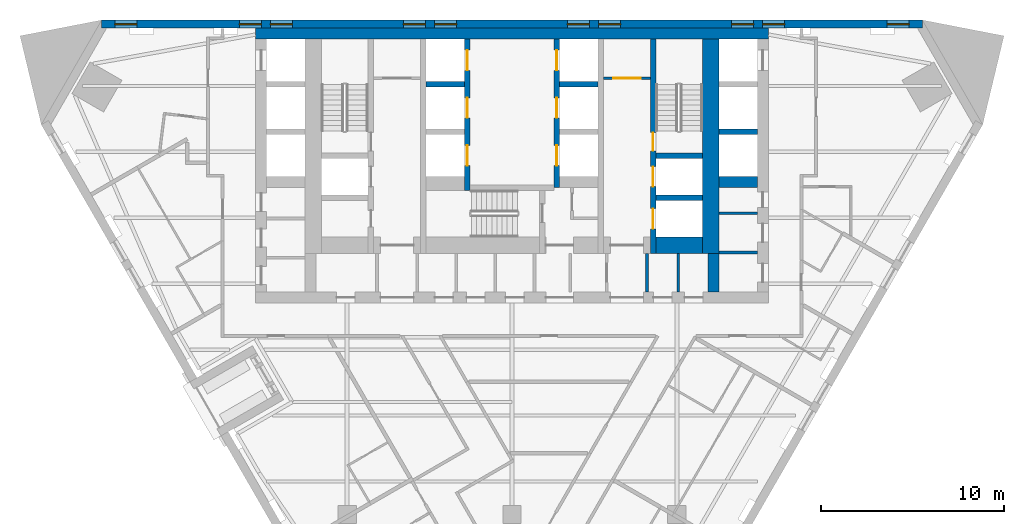
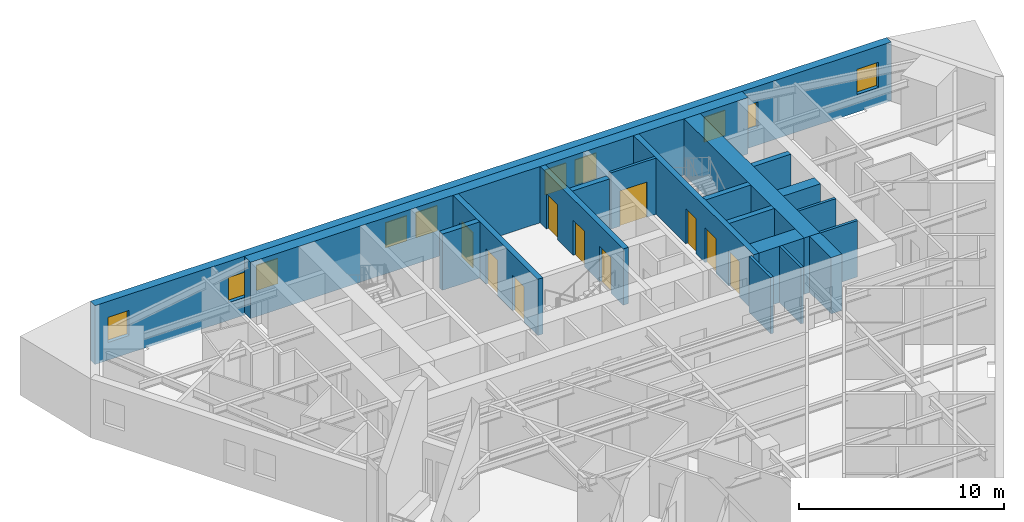
# One storey, part 7 of 9: 19 walls, 10 doors, 10 windows, 20 openings.
"""IFC4 building model written with IfcOpenShell, lengths in metres."""

import ifcopenshell
import ifcopenshell.guid

model = None  # the IFC model being written
_history = None  # IfcOwnerHistory: only IFC2X3 demands one
_inside = {}  # id of a spatial element -> (the spatial element, [elements in it])
_under = {}  # id of a project, library or spatial element -> (it, [spatial elements below it])
_declared = {}  # id of a project -> (the project, [libraries it declares])
_typed = {}  # id of a type object -> (the type object, [elements of that type])
_made_of = {}  # id of a material, layer set ... -> (it, [elements and type objects made of it])


def new_model(schema):
    """Start an empty IFC model of exactly this schema.

    Asked for "IFC4X3", IfcOpenShell would pick the latest addendum, in which some entities
    have other attributes; the version numbers below select the first issue.
    IFC2X3 requires an IfcOwnerHistory on every rooted entity: one is made here for all.
    """
    global model, _history
    if schema == "IFC4X3":
        model = ifcopenshell.file(schema_version=(4, 3, 0, 0))
    else:
        model = ifcopenshell.file(schema=schema)
    _inside.clear()
    _under.clear()
    _declared.clear()
    _typed.clear()
    _made_of.clear()
    _history = None
    if model.schema == "IFC2X3":
        org = make("IfcOrganization", Name="unknown")
        user = make(
            "IfcPersonAndOrganization",
            ThePerson=make("IfcPerson", FamilyName="unknown"),
            TheOrganization=org,
        )
        app = make(
            "IfcApplication",
            ApplicationDeveloper=org,
            Version="unknown",
            ApplicationFullName="unknown",
            ApplicationIdentifier="unknown",
        )
        _history = make(
            "IfcOwnerHistory",
            OwningUser=user,
            OwningApplication=app,
            ChangeAction="ADDED",
            CreationDate=0,
        )
    return model


def make(cls, **values):
    """One entity of the class cls with the attributes given. An attribute that is None is left unset."""
    return model.create_entity(
        cls, **{name: value for name, value in values.items() if value is not None}
    )


def rooted(cls, **values):
    """An entity with a GlobalId (a new one), such as an element, a storey or a relation."""
    return make(cls, GlobalId=ifcopenshell.guid.new(), OwnerHistory=_history, **values)


def si_unit(unit_type, name, prefix=None):
    """IfcSIUnit, for example si_unit("LENGTHUNIT", "METRE", prefix="MILLI")."""
    return make("IfcSIUnit", UnitType=unit_type, Prefix=prefix, Name=name)


def assignment(units):
    """IfcUnitAssignment: the units of a project."""
    return None if units is None else make("IfcUnitAssignment", Units=units)


def point(xyz):
    """IfcCartesianPoint."""
    return None if xyz is None else make("IfcCartesianPoint", Coordinates=xyz)


def direction(xyz):
    """IfcDirection."""
    return None if xyz is None else make("IfcDirection", DirectionRatios=xyz)


def frame(location, z_axis=None, x_axis=None):
    """IfcAxis2Placement3D, a coordinate frame: its origin and axes. An axis left out is left unset."""
    return make(
        "IfcAxis2Placement3D",
        Location=point(location),
        Axis=direction(z_axis),
        RefDirection=direction(x_axis),
    )


def frame_2d(location, x_axis=None):
    """IfcAxis2Placement2D, a coordinate frame in the plane: its origin and x axis."""
    return make(
        "IfcAxis2Placement2D", Location=point(location), RefDirection=direction(x_axis)
    )


def origin():
    """The frame at (0, 0, 0) with its axes left unset."""
    return frame((0.0, 0.0, 0.0))


def place(relative_to, where):
    """IfcLocalPlacement: puts the frame where relative to a parent placement (None: the world)."""
    return make(
        "IfcLocalPlacement", PlacementRelTo=relative_to, RelativePlacement=where
    )


def context(
    kind, dimensions, precision=None, world=None, true_north=None, identifier=None
):
    """IfcGeometricRepresentationContext, for example the 3D "Model" context."""
    return make(
        "IfcGeometricRepresentationContext",
        ContextIdentifier=identifier,
        ContextType=kind,
        CoordinateSpaceDimension=dimensions,
        Precision=precision,
        WorldCoordinateSystem=world,
        TrueNorth=true_north,
    )


def subcontext(parent, identifier, kind, view, scale=None):
    """IfcGeometricRepresentationSubContext, for example "Body" below "Model"."""
    return make(
        "IfcGeometricRepresentationSubContext",
        ContextIdentifier=identifier,
        ContextType=kind,
        ParentContext=parent,
        TargetScale=scale,
        TargetView=view,
    )


def project(units=None, contexts=None):
    """IfcProject with its units and contexts."""
    return rooted(
        "IfcProject",
        Name="project",
        RepresentationContexts=contexts,
        UnitsInContext=assignment(units),
    )


def spatial(cls, under=None, at=None, **own):
    """A site, building, storey or space (cls), placed at a placement, below another one or the project."""
    s = rooted(cls, ObjectPlacement=at, **own)
    if under is not None:
        _under.setdefault(under.id(), (under, []))[1].append(s)
    return s


def polyline(points):
    """IfcPolyline through the points."""
    return make("IfcPolyline", Points=[point(p) for p in points])


def profile(cls, at=None, kind="AREA", **sizes):
    """A parametric profile (cls). Its sizes go by their IFC names, for example OverallWidth=200.0."""
    return make(cls, ProfileType=kind, Position=at, **sizes)


def rectangle(**sizes):
    """IfcRectangleProfileDef."""
    return profile("IfcRectangleProfileDef", **sizes)


def outline(outer, holes=None, kind="AREA"):
    """IfcArbitraryClosedProfileDef: a profile drawn as a closed curve; with holes, ...WithVoids."""
    if holes is None:
        return make("IfcArbitraryClosedProfileDef", ProfileType=kind, OuterCurve=outer)
    return make(
        "IfcArbitraryProfileDefWithVoids",
        ProfileType=kind,
        OuterCurve=outer,
        InnerCurves=holes,
    )


def extrude(swept, where, along, depth):
    """IfcExtrudedAreaSolid: the profile swept, set in the frame where, extruded along a direction by depth."""
    return make(
        "IfcExtrudedAreaSolid",
        SweptArea=swept,
        Position=where,
        ExtrudedDirection=direction(along),
        Depth=depth,
    )


def shape(context_of_items, identifier, shape_type, items):
    """IfcShapeRepresentation: the items that make up one representation, for example the "Body"."""
    return make(
        "IfcShapeRepresentation",
        ContextOfItems=context_of_items,
        RepresentationIdentifier=identifier,
        RepresentationType=shape_type,
        Items=items,
    )


def material(Name=None, Category=None):
    """IfcMaterial."""
    return make("IfcMaterial", Name=Name, Category=Category)


def layer(
    of_material, thickness, ventilated=None, Name=None, Category=None, Priority=None
):
    """IfcMaterialLayer: one layer of a wall or slab, of a material (None: an air gap)."""
    return make(
        "IfcMaterialLayer",
        Material=of_material,
        LayerThickness=thickness,
        IsVentilated=ventilated,
        Name=Name,
        Category=Category,
        Priority=Priority,
    )


def layer_set(layers, Name=None):
    """IfcMaterialLayerSet."""
    return make("IfcMaterialLayerSet", MaterialLayers=layers, LayerSetName=Name)


def made_of(thing, what):
    """Note that an element or type object is made of a material, layer set ...; save() writes the relation."""
    if what is not None:
        _made_of.setdefault(what.id(), (what, []))[1].append(thing)
    return thing


def type_object(cls, material=None, **own):
    """A type object (cls), such as IfcWallType, which elements share."""
    return made_of(rooted(cls, **own), material)


def element(
    cls,
    number,
    at=None,
    inside=None,
    cuts=None,
    type_object=None,
    material=None,
    context=None,
    identifier="Body",
    shape_type=None,
    held_by="IfcProductDefinitionShape",
    body=None,
    shapes=None,
    **own,
):
    """One element of the class cls, such as IfcWall. Its Tag is "e" and its number.

    at: its placement. inside: the storey or other place that contains it. cuts: it is an
    opening in that element (IfcRelVoidsElement). A single representation is given by context,
    identifier, shape_type and body (its items); several are given by shapes. held_by: the class
    of the entity that holds the representations. save() writes the other relations.
    """
    e = rooted(cls, Tag="e%d" % number, ObjectPlacement=at, **own)
    if body is not None:
        shapes = [shape(context, identifier, shape_type, body)]
    if shapes is not None:
        e.Representation = make(held_by, Representations=shapes)
    if inside is not None:
        _inside.setdefault(inside.id(), (inside, []))[1].append(e)
    if cuts is not None:
        rooted(
            "IfcRelVoidsElement", RelatingBuildingElement=cuts, RelatedOpeningElement=e
        )
    if type_object is not None:
        _typed.setdefault(type_object.id(), (type_object, []))[1].append(e)
    return made_of(e, material)


def fill(opening, filler):
    """IfcRelFillsElement: the door or window that sits in an opening."""
    return rooted(
        "IfcRelFillsElement",
        RelatingOpeningElement=opening,
        RelatedBuildingElement=filler,
    )


def aggregate(whole, parts):
    """IfcRelAggregates: a whole, such as a stair, and the parts it consists of."""
    return rooted("IfcRelAggregates", RelatingObject=whole, RelatedObjects=parts)


def save(model, path):
    """Write the relations noted so far, then the file.

    IfcRelAggregates (storeys below a building ...), IfcRelContainedInSpatialStructure (elements
    in a storey), IfcRelDefinesByType, IfcRelAssociatesMaterial and IfcRelDeclares: one each for
    every whole, place, type object, material and project.
    """
    for whole, parts in _under.values():
        aggregate(whole, parts)
    for where, things in _inside.values():
        rooted(
            "IfcRelContainedInSpatialStructure",
            RelatedElements=things,
            RelatingStructure=where,
        )
    for kind, things in _typed.values():
        rooted("IfcRelDefinesByType", RelatedObjects=things, RelatingType=kind)
    for what, things in _made_of.values():
        rooted("IfcRelAssociatesMaterial", RelatedObjects=things, RelatingMaterial=what)
    for by, libraries in _declared.values():
        rooted("IfcRelDeclares", RelatingContext=by, RelatedDefinitions=libraries)
    model.write(path)


model = new_model("IFC4")

# Units and contexts
model_context = context("Model", 3, precision=1e-05, world=origin(), true_north=direction((0.0, 1.0)))
body_context = subcontext(model_context, "Body", "Model", "MODEL_VIEW")
ifc_project = project(units=[si_unit("LENGTHUNIT", "METRE"), si_unit("AREAUNIT", "SQUARE_METRE"), si_unit("VOLUMEUNIT", "CUBIC_METRE"), si_unit("PLANEANGLEUNIT", "RADIAN"), si_unit("MASSUNIT", "GRAM", prefix="KILO")], contexts=[model_context])

# Site, building, storey
site_placement = place(None, origin())
site = spatial("IfcSite", under=ifc_project, at=site_placement, CompositionType="ELEMENT")
building_placement = place(site_placement, origin())
building = spatial("IfcBuilding", under=site, at=building_placement, Name="Aloe Facet Convention Tower", CompositionType="ELEMENT")
storey_placement = place(building_placement, frame((0.0, 0.0, 52.5)))
storey = spatial("IfcBuildingStorey", under=building, at=storey_placement, Name="L11", CompositionType="ELEMENT", Elevation=52.5)

# Wall, opening, door
ifc_material_1 = material(Name="Concrete blockwork partition", Category="masonry")
ifc_layer_1 = layer(ifc_material_1, 0.14990234375)
ifc_layer_set_1 = layer_set([ifc_layer_1], Name="CR-W-PART150")
wall_type_1 = type_object("IfcWallType", Name="CR-W-PART150", PredefinedType="PARTITIONING", material=ifc_layer_set_1)
wall_1_placement = place(storey_placement, frame((85.0, 131.824951171875, 0.0), z_axis=(0.0, 0.0, 1.0), x_axis=(1.0, 0.0, 0.0)))
wall_1 = element("IfcWall", 1, at=wall_1_placement, inside=storey, type_object=wall_type_1, Name="Core partition L11-039", PredefinedType="PARTITIONING", context=body_context, shape_type="SweptSolid", body=[
    extrude(rectangle(XDim=2.550048828125, YDim=0.14990234375, at=frame_2d((1.27490234375, 0.0))), origin(), (0.0, 0.0, 1.0), 3.35009765625),
])
opening_1_placement = place(wall_1_placement, frame((0.52490234375, 0.0, 0.0)))
opening_1 = element("IfcOpeningElement", 2, at=opening_1_placement, cuts=wall_1, Name="Opening L11-CD21", PredefinedType="OPENING", context=body_context, shape_type="SweptSolid", body=[
    extrude(rectangle(XDim=1.5, YDim=2.10009765625, at=frame_2d((0.75, 1.050048828125))), frame((0.0, 0.0849609375, 0.0), z_axis=(0.0, -1.0, 0.0), x_axis=(1.0, 0.0, 0.0)), (0.0, 0.0, 1.0), 0.169921875),
])
ifc_material_2 = material(Name="Steel fire-resisting door set FD60", Category="steel")
door_type_1 = type_object("IfcDoorType", Name="CR-D-REFUGE-1500-FD60-DD", OperationType="DOUBLE_DOOR_DOUBLE_SWING", PredefinedType="DOOR", material=ifc_material_2)
door_1_placement = place(opening_1_placement, origin())
door_1 = element("IfcDoor", 3, at=door_1_placement, inside=storey, type_object=door_type_1, Name="Core door L11-CD21", OperationType="DOUBLE_DOOR_DOUBLE_SWING", OverallHeight=2.10009765625, OverallWidth=1.5, PredefinedType="DOOR", context=body_context, shape_type="SweptSolid", body=[
    extrude(rectangle(XDim=1.5, YDim=2.10009765625, at=frame_2d((0.75, 1.050048828125))), frame((0.0, 0.02490234375, 0.0), z_axis=(0.0, -1.0, 0.0), x_axis=(1.0, 0.0, 0.0)), (0.0, 0.0, 1.0), 0.050048828125),
])
fill(opening_1, door_1)

# Walls
for number, where, z_axis, x_axis, name in (
    (4, (87.375, 122.25, 0.0), (0.0, 0.0, 1.0), (0.0, -1.0, 0.0), "Core partition L11-042"),
    (5, (89.074951171875, 122.25, 0.0), (0.0, 0.0, 1.0), (0.0, -1.0, 0.0), "Core partition L11-047"),
):
    element("IfcWall", number, at=place(storey_placement, frame(where, z_axis=z_axis, x_axis=x_axis)), inside=storey, type_object=wall_type_1, Name=name, PredefinedType="PARTITIONING", context=body_context, shape_type="SweptSolid", body=[
        extrude(rectangle(XDim=2.10009765625, YDim=0.14990234375, at=frame_2d((1.050048828125, 0.0))), origin(), (0.0, 0.0, 1.0), 3.35009765625),
    ])
for number, where, z_axis, x_axis, name in (
    (6, (91.300048828125, 124.44873046875, 0.0), (0.0, 0.0, 1.0), (1.0, 0.0, 0.0), "Core partition L11-053"),
    (7, (91.300048828125, 122.309326171875, 0.0), (0.0, 0.0, 1.0), (1.0, 0.0, 0.0), "Core partition L11-054"),
):
    element("IfcWall", number, at=place(storey_placement, frame(where, z_axis=z_axis, x_axis=x_axis)), inside=storey, type_object=wall_type_1, Name=name, PredefinedType="PARTITIONING", context=body_context, shape_type="SweptSolid", body=[
        extrude(rectangle(XDim=2.099853515625, YDim=0.14990234375, at=frame_2d((1.0498046875, 0.0))), origin(), (0.0, 0.0, 1.0), 3.35009765625),
    ])
ifc_material_3 = material(Name="Concrete C80/95", Category="concrete")
ifc_layer_2 = layer(ifc_material_3, 0.300048828125)
ifc_layer_set_2 = layer_set([ifc_layer_2], Name="CR-W-RC300-C8095")
wall_type_2 = type_object("IfcWallType", Name="CR-W-RC300-C8095", PredefinedType="SOLIDWALL", material=ifc_layer_set_2)
wall_2_placement = place(storey_placement, frame((75.300048828125, 131.5, 0.0), z_axis=(0.0, 0.0, 1.0), x_axis=(1.0, 0.0, 0.0)))
element("IfcWall", 8, at=wall_2_placement, inside=storey, type_object=wall_type_2, Name="Core wall L11-020", PredefinedType="SOLIDWALL", context=body_context, shape_type="SweptSolid", body=[
    extrude(rectangle(XDim=2.099853515625, YDim=0.300048828125, at=frame_2d((1.0498046875, 0.0))), origin(), (0.0, 0.0, 1.0), 3.35009765625),
])

# Wall, openings, doors
wall_3_placement = place(storey_placement, frame((77.550048828125, 133.949951171875, 0.0), z_axis=(0.0, 0.0, 1.0), x_axis=(0.0, -1.0, 0.0)))
wall_3 = element("IfcWall", 9, at=wall_3_placement, inside=storey, type_object=wall_type_2, Name="Core wall L11-025", PredefinedType="SOLIDWALL", context=body_context, shape_type="SweptSolid", body=[
    extrude(rectangle(XDim=8.25, YDim=0.300048828125, at=frame_2d((4.125, 0.0))), origin(), (0.0, 0.0, 1.0), 3.35009765625),
])
opening_2_placement = place(wall_3_placement, frame((0.60009765625, 0.0, 0.0)))
opening_2 = element("IfcOpeningElement", 10, at=opening_2_placement, cuts=wall_3, Name="Opening LD-A1-L11", PredefinedType="OPENING", context=body_context, shape_type="SweptSolid", body=[
    extrude(rectangle(XDim=1.10009765625, YDim=2.10009765625, at=frame_2d((0.550048828125, 1.050048828125))), frame((0.0, 0.16015625, 0.0), z_axis=(0.0, -1.0, 0.0), x_axis=(1.0, 0.0, 0.0)), (0.0, 0.0, 1.0), 0.320068359375),
])
opening_3_placement = place(wall_3_placement, frame((3.199951171875, 0.0, 0.0)))
opening_3 = element("IfcOpeningElement", 11, at=opening_3_placement, cuts=wall_3, Name="Opening LD-A2-L11", PredefinedType="OPENING", context=body_context, shape_type="SweptSolid", body=[
    extrude(rectangle(XDim=1.10009765625, YDim=2.10009765625, at=frame_2d((0.550048828125, 1.050048828125))), frame((0.0, 0.16015625, 0.0), z_axis=(0.0, -1.0, 0.0), x_axis=(1.0, 0.0, 0.0)), (0.0, 0.0, 1.0), 0.320068359375),
])
opening_4_placement = place(wall_3_placement, frame((5.800048828125, 0.0, 0.0)))
opening_4 = element("IfcOpeningElement", 12, at=opening_4_placement, cuts=wall_3, Name="Opening LD-A3-L11", PredefinedType="OPENING", context=body_context, shape_type="SweptSolid", body=[
    extrude(rectangle(XDim=1.10009765625, YDim=2.10009765625, at=frame_2d((0.550048828125, 1.050048828125))), frame((0.0, 0.16015625, 0.0), z_axis=(0.0, -1.0, 0.0), x_axis=(1.0, 0.0, 0.0)), (0.0, 0.0, 1.0), 0.320068359375),
])
ifc_material_4 = material(Name="Stainless steel sliding landing door", Category="steel")
door_type_2 = type_object("IfcDoorType", Name="CR-LD-1100-FD60-RIGHT", OperationType="SLIDING_TO_RIGHT", PredefinedType="DOOR", material=ifc_material_4)
door_2_placement = place(opening_2_placement, origin())
door_2 = element("IfcDoor", 13, at=door_2_placement, inside=storey, type_object=door_type_2, Name="Landing door A1 L11", OperationType="SLIDING_TO_RIGHT", OverallHeight=2.10009765625, OverallWidth=1.10009765625, PredefinedType="DOOR", context=body_context, shape_type="SweptSolid", body=[
    extrude(rectangle(XDim=1.10009765625, YDim=2.10009765625, at=frame_2d((0.550048828125, 1.050048828125))), frame((0.0, 0.02490234375, 0.0), z_axis=(0.0, -1.0, 0.0), x_axis=(1.0, 0.0, 0.0)), (0.0, 0.0, 1.0), 0.050048828125),
])
fill(opening_2, door_2)
door_3_placement = place(opening_3_placement, origin())
door_3 = element("IfcDoor", 14, at=door_3_placement, inside=storey, type_object=door_type_2, Name="Landing door A2 L11", OperationType="SLIDING_TO_RIGHT", OverallHeight=2.10009765625, OverallWidth=1.10009765625, PredefinedType="DOOR", context=body_context, shape_type="SweptSolid", body=[
    extrude(rectangle(XDim=1.10009765625, YDim=2.10009765625, at=frame_2d((0.550048828125, 1.050048828125))), frame((0.0, 0.02490234375, 0.0), z_axis=(0.0, -1.0, 0.0), x_axis=(1.0, 0.0, 0.0)), (0.0, 0.0, 1.0), 0.050048828125),
])
fill(opening_3, door_3)
door_4_placement = place(opening_4_placement, origin())
door_4 = element("IfcDoor", 15, at=door_4_placement, inside=storey, type_object=door_type_2, Name="Landing door A3 L11", OperationType="SLIDING_TO_RIGHT", OverallHeight=2.10009765625, OverallWidth=1.10009765625, PredefinedType="DOOR", context=body_context, shape_type="SweptSolid", body=[
    extrude(rectangle(XDim=1.10009765625, YDim=2.10009765625, at=frame_2d((0.550048828125, 1.050048828125))), frame((0.0, 0.02490234375, 0.0), z_axis=(0.0, -1.0, 0.0), x_axis=(1.0, 0.0, 0.0)), (0.0, 0.0, 1.0), 0.050048828125),
])
fill(opening_4, door_4)

wall_4_placement = place(storey_placement, frame((82.449951171875, 133.949951171875, 0.0), z_axis=(0.0, 0.0, 1.0), x_axis=(0.0, -1.0, 0.0)))
wall_4 = element("IfcWall", 16, at=wall_4_placement, inside=storey, type_object=wall_type_2, Name="Core wall L11-031", PredefinedType="SOLIDWALL", context=body_context, shape_type="SweptSolid", body=[
    extrude(rectangle(XDim=8.099853515625, YDim=0.300048828125, at=frame_2d((4.0498046875, 0.0))), origin(), (0.0, 0.0, 1.0), 3.35009765625),
])
opening_5_placement = place(wall_4_placement, frame((0.60009765625, 0.0, 0.0)))
opening_5 = element("IfcOpeningElement", 17, at=opening_5_placement, cuts=wall_4, Name="Opening LD-A4-L11", PredefinedType="OPENING", context=body_context, shape_type="SweptSolid", body=[
    extrude(rectangle(XDim=1.10009765625, YDim=2.10009765625, at=frame_2d((0.550048828125, 1.050048828125))), frame((0.0, 0.16015625, 0.0), z_axis=(0.0, -1.0, 0.0), x_axis=(1.0, 0.0, 0.0)), (0.0, 0.0, 1.0), 0.320068359375),
])
opening_6_placement = place(wall_4_placement, frame((3.199951171875, 0.0, 0.0)))
opening_6 = element("IfcOpeningElement", 18, at=opening_6_placement, cuts=wall_4, Name="Opening LD-A5-L11", PredefinedType="OPENING", context=body_context, shape_type="SweptSolid", body=[
    extrude(rectangle(XDim=1.10009765625, YDim=2.10009765625, at=frame_2d((0.550048828125, 1.050048828125))), frame((0.0, 0.16015625, 0.0), z_axis=(0.0, -1.0, 0.0), x_axis=(1.0, 0.0, 0.0)), (0.0, 0.0, 1.0), 0.320068359375),
])
opening_7_placement = place(wall_4_placement, frame((5.800048828125, 0.0, 0.0)))
opening_7 = element("IfcOpeningElement", 19, at=opening_7_placement, cuts=wall_4, Name="Opening LD-A6-L11", PredefinedType="OPENING", context=body_context, shape_type="SweptSolid", body=[
    extrude(rectangle(XDim=1.10009765625, YDim=2.10009765625, at=frame_2d((0.550048828125, 1.050048828125))), frame((0.0, 0.16015625, 0.0), z_axis=(0.0, -1.0, 0.0), x_axis=(1.0, 0.0, 0.0)), (0.0, 0.0, 1.0), 0.320068359375),
])
ifc_material_5 = material(Name="Stainless steel sliding landing door", Category="steel")
door_type_3 = type_object("IfcDoorType", Name="CR-LD-1100-FD60-_LEFT", OperationType="SLIDING_TO_LEFT", PredefinedType="DOOR", material=ifc_material_5)
door_5_placement = place(opening_5_placement, origin())
door_5 = element("IfcDoor", 20, at=door_5_placement, inside=storey, type_object=door_type_3, Name="Landing door A4 L11", OperationType="SLIDING_TO_LEFT", OverallHeight=2.10009765625, OverallWidth=1.10009765625, PredefinedType="DOOR", context=body_context, shape_type="SweptSolid", body=[
    extrude(rectangle(XDim=1.10009765625, YDim=2.10009765625, at=frame_2d((0.550048828125, 1.050048828125))), frame((0.0, 0.02490234375, 0.0), z_axis=(0.0, -1.0, 0.0), x_axis=(1.0, 0.0, 0.0)), (0.0, 0.0, 1.0), 0.050048828125),
])
fill(opening_5, door_5)
door_6_placement = place(opening_6_placement, origin())
door_6 = element("IfcDoor", 21, at=door_6_placement, inside=storey, type_object=door_type_3, Name="Landing door A5 L11", OperationType="SLIDING_TO_LEFT", OverallHeight=2.10009765625, OverallWidth=1.10009765625, PredefinedType="DOOR", context=body_context, shape_type="SweptSolid", body=[
    extrude(rectangle(XDim=1.10009765625, YDim=2.10009765625, at=frame_2d((0.550048828125, 1.050048828125))), frame((0.0, 0.02490234375, 0.0), z_axis=(0.0, -1.0, 0.0), x_axis=(1.0, 0.0, 0.0)), (0.0, 0.0, 1.0), 0.050048828125),
])
fill(opening_6, door_6)
door_7_placement = place(opening_7_placement, origin())
door_7 = element("IfcDoor", 22, at=door_7_placement, inside=storey, type_object=door_type_3, Name="Landing door A6 L11", OperationType="SLIDING_TO_LEFT", OverallHeight=2.10009765625, OverallWidth=1.10009765625, PredefinedType="DOOR", context=body_context, shape_type="SweptSolid", body=[
    extrude(rectangle(XDim=1.10009765625, YDim=2.10009765625, at=frame_2d((0.550048828125, 1.050048828125))), frame((0.0, 0.02490234375, 0.0), z_axis=(0.0, -1.0, 0.0), x_axis=(1.0, 0.0, 0.0)), (0.0, 0.0, 1.0), 0.050048828125),
])
fill(opening_7, door_7)

# Wall
wall_5_placement = place(storey_placement, frame((82.60009765625, 131.5, 0.0), z_axis=(0.0, 0.0, 1.0), x_axis=(1.0, 0.0, 0.0)))
element("IfcWall", 23, at=wall_5_placement, inside=storey, type_object=wall_type_2, Name="Core wall L11-032", PredefinedType="SOLIDWALL", context=body_context, shape_type="SweptSolid", body=[
    extrude(rectangle(XDim=2.099853515625, YDim=0.300048828125, at=frame_2d((1.0498046875, 0.0))), origin(), (0.0, 0.0, 1.0), 3.35009765625),
])

# Wall, openings, doors
wall_6_placement = place(storey_placement, frame((87.699951171875, 133.949951171875, 0.0), z_axis=(0.0, 0.0, 1.0), x_axis=(0.0, -1.0, 0.0)))
wall_6 = element("IfcWall", 24, at=wall_6_placement, inside=storey, type_object=wall_type_2, Name="Core wall L11-043", PredefinedType="SOLIDWALL", context=body_context, shape_type="SweptSolid", body=[
    extrude(rectangle(XDim=11.699951171875, YDim=0.300048828125, at=frame_2d((5.85009765625, 0.0))), origin(), (0.0, 0.0, 1.0), 3.35009765625),
])
opening_8_placement = place(wall_6_placement, frame((6.949951171875, 0.0, 0.0)))
opening_8 = element("IfcOpeningElement", 25, at=opening_8_placement, cuts=wall_6, Name="Opening LD-FF2-L11", PredefinedType="OPENING", context=body_context, shape_type="SweptSolid", body=[
    extrude(rectangle(XDim=1.10009765625, YDim=2.10009765625, at=frame_2d((0.550048828125, 1.050048828125))), frame((0.0, 0.16015625, 0.0), z_axis=(0.0, -1.0, 0.0), x_axis=(1.0, 0.0, 0.0)), (0.0, 0.0, 1.0), 0.320068359375),
])
opening_9_placement = place(wall_6_placement, frame((5.10009765625, 0.0, 0.0)))
opening_9 = element("IfcOpeningElement", 26, at=opening_9_placement, cuts=wall_6, Name="Opening L11-CD32", PredefinedType="OPENING", context=body_context, shape_type="SweptSolid", body=[
    extrude(rectangle(XDim=1.0, YDim=2.10009765625, at=frame_2d((0.5, 1.050048828125))), frame((0.0, 0.16015625, 0.0), z_axis=(0.0, -1.0, 0.0), x_axis=(1.0, 0.0, 0.0)), (0.0, 0.0, 1.0), 0.320068359375),
])
opening_10_placement = place(wall_6_placement, frame((9.25, 0.0, 0.0)))
opening_10 = element("IfcOpeningElement", 27, at=opening_10_placement, cuts=wall_6, Name="Opening LD-SV1-L11", PredefinedType="OPENING", context=body_context, shape_type="SweptSolid", body=[
    extrude(rectangle(XDim=1.10009765625, YDim=2.10009765625, at=frame_2d((0.550048828125, 1.050048828125))), frame((0.0, 0.16015625, 0.0), z_axis=(0.0, -1.0, 0.0), x_axis=(1.0, 0.0, 0.0)), (0.0, 0.0, 1.0), 0.320068359375),
])
ifc_material_6 = material(Name="Steel fire-resisting door set FD120", Category="steel")
door_type_4 = type_object("IfcDoorType", Name="CR-D-STAIR-1000-FD120-SLEFT", OperationType="SINGLE_SWING_LEFT", PredefinedType="DOOR", material=ifc_material_6)
door_8_placement = place(opening_9_placement, origin())
door_8 = element("IfcDoor", 28, at=door_8_placement, inside=storey, type_object=door_type_4, Name="Core door L11-CD32", OperationType="SINGLE_SWING_LEFT", OverallHeight=2.10009765625, OverallWidth=1.0, PredefinedType="DOOR", context=body_context, shape_type="SweptSolid", body=[
    extrude(rectangle(XDim=1.0, YDim=2.10009765625, at=frame_2d((0.5, 1.050048828125))), frame((0.0, 0.02490234375, 0.0), z_axis=(0.0, -1.0, 0.0), x_axis=(1.0, 0.0, 0.0)), (0.0, 0.0, 1.0), 0.050048828125),
])
fill(opening_9, door_8)
ifc_material_7 = material(Name="Stainless steel sliding landing door", Category="steel")
door_type_5 = type_object("IfcDoorType", Name="CR-LD-1100-FD120-_LEFT", OperationType="SLIDING_TO_LEFT", PredefinedType="DOOR", material=ifc_material_7)
door_9_placement = place(opening_8_placement, origin())
door_9 = element("IfcDoor", 29, at=door_9_placement, inside=storey, type_object=door_type_5, Name="Landing door FF2 L11", OperationType="SLIDING_TO_LEFT", OverallHeight=2.10009765625, OverallWidth=1.10009765625, PredefinedType="DOOR", context=body_context, shape_type="SweptSolid", body=[
    extrude(rectangle(XDim=1.10009765625, YDim=2.10009765625, at=frame_2d((0.550048828125, 1.050048828125))), frame((0.0, 0.02490234375, 0.0), z_axis=(0.0, -1.0, 0.0), x_axis=(1.0, 0.0, 0.0)), (0.0, 0.0, 1.0), 0.050048828125),
])
fill(opening_8, door_9)
door_10_placement = place(opening_10_placement, origin())
door_10 = element("IfcDoor", 30, at=door_10_placement, inside=storey, type_object=door_type_5, Name="Landing door SV1 L11", OperationType="SLIDING_TO_LEFT", OverallHeight=2.10009765625, OverallWidth=1.10009765625, PredefinedType="DOOR", context=body_context, shape_type="SweptSolid", body=[
    extrude(rectangle(XDim=1.10009765625, YDim=2.10009765625, at=frame_2d((0.550048828125, 1.050048828125))), frame((0.0, 0.02490234375, 0.0), z_axis=(0.0, -1.0, 0.0), x_axis=(1.0, 0.0, 0.0)), (0.0, 0.0, 1.0), 0.050048828125),
])
fill(opening_10, door_10)

# Walls
for number, where, z_axis, x_axis, name in (
    (31, (87.85009765625, 127.60009765625, 0.0), (0.0, 0.0, 1.0), (1.0, 0.0, 0.0), "Core wall L11-044"),
    (32, (87.85009765625, 125.300048828125, 0.0), (0.0, 0.0, 1.0), (1.0, 0.0, 0.0), "Core wall L11-045"),
):
    element("IfcWall", number, at=place(storey_placement, frame(where, z_axis=z_axis, x_axis=x_axis)), inside=storey, type_object=wall_type_2, Name=name, PredefinedType="SOLIDWALL", context=body_context, shape_type="SweptSolid", body=[
        extrude(rectangle(XDim=2.5498046875, YDim=0.300048828125, at=frame_2d((1.27490234375, 0.0))), origin(), (0.0, 0.0, 1.0), 3.35009765625),
    ])
wall_7_placement = place(storey_placement, frame((91.300048828125, 128.89990234375, 0.0), z_axis=(0.0, 0.0, 1.0), x_axis=(1.0, 0.0, 0.0)))
element("IfcWall", 33, at=wall_7_placement, inside=storey, type_object=wall_type_2, Name="Core wall L11-051", PredefinedType="SOLIDWALL", context=body_context, shape_type="SweptSolid", body=[
    extrude(rectangle(XDim=2.099853515625, YDim=0.300048828125, at=frame_2d((1.0498046875, 0.0))), origin(), (0.0, 0.0, 1.0), 3.35009765625),
])
ifc_material_8 = material(Name="Concrete C80/95", Category="concrete")
ifc_layer_3 = layer(ifc_material_8, 0.60009765625)
ifc_layer_set_3 = layer_set([ifc_layer_3], Name="CR-W-RC600-C8095")
wall_type_3 = type_object("IfcWallType", Name="CR-W-RC600-C8095", PredefinedType="SOLIDWALL", material=ifc_layer_set_3)
wall_8_placement = place(storey_placement, frame((66.0, 134.25, 0.0), z_axis=(0.0, 0.0, 1.0), x_axis=(1.0, 0.0, 0.0)))
element("IfcWall", 34, at=wall_8_placement, inside=storey, type_object=wall_type_3, Name="Core wall L11-001", PredefinedType="SOLIDWALL", context=body_context, shape_type="SweptSolid", body=[
    extrude(rectangle(XDim=28.0, YDim=0.60009765625, at=frame_2d((14.0, 0.0))), origin(), (0.0, 0.0, 1.0), 3.35009765625),
])
wall_9_placement = place(storey_placement, frame((91.0, 122.25, 0.0), z_axis=(0.0, 0.0, 1.0), x_axis=(0.0, -1.0, 0.0)))
element("IfcWall", 35, at=wall_9_placement, inside=storey, type_object=wall_type_3, Name="Core wall L11-049", PredefinedType="SOLIDWALL", context=body_context, shape_type="SweptSolid", body=[
    extrude(rectangle(XDim=2.10009765625, YDim=0.60009765625, at=frame_2d((1.050048828125, 0.0))), origin(), (0.0, 0.0, 1.0), 3.35009765625),
])
wall_10_placement = place(storey_placement, frame((91.300048828125, 126.14990234375, 0.0), z_axis=(0.0, 0.0, 1.0), x_axis=(1.0, 0.0, 0.0)))
element("IfcWall", 36, at=wall_10_placement, inside=storey, type_object=wall_type_3, Name="Core wall L11-052", PredefinedType="SOLIDWALL", context=body_context, shape_type="SweptSolid", body=[
    extrude(rectangle(XDim=2.099853515625, YDim=0.60009765625, at=frame_2d((1.0498046875, 0.0))), origin(), (0.0, 0.0, 1.0), 3.35009765625),
])
ifc_material_9 = material(Name="Concrete C80/95", Category="concrete")
ifc_layer_4 = layer(ifc_material_9, 0.89990234375)
ifc_layer_set_4 = layer_set([ifc_layer_4], Name="CR-W-RC900-C8095")
wall_type_4 = type_object("IfcWallType", Name="CR-W-RC900-C8095", PredefinedType="SOLIDWALL", material=ifc_layer_set_4)
wall_11_placement = place(storey_placement, frame((87.85009765625, 122.699951171875, 0.0), z_axis=(0.0, 0.0, 1.0), x_axis=(1.0, 0.0, 0.0)))
element("IfcWall", 37, at=wall_11_placement, inside=storey, type_object=wall_type_4, Name="Core wall L11-046", PredefinedType="SOLIDWALL", context=body_context, shape_type="SweptSolid", body=[
    extrude(rectangle(XDim=2.5498046875, YDim=0.89990234375, at=frame_2d((1.27490234375, 0.0))), origin(), (0.0, 0.0, 1.0), 3.35009765625),
])
wall_12_placement = place(storey_placement, frame((90.85009765625, 133.949951171875, 0.0), z_axis=(0.0, 0.0, 1.0), x_axis=(0.0, -1.0, 0.0)))
element("IfcWall", 38, at=wall_12_placement, inside=storey, type_object=wall_type_4, Name="Core wall L11-048", PredefinedType="SOLIDWALL", context=body_context, shape_type="SweptSolid", body=[
    extrude(rectangle(XDim=11.699951171875, YDim=0.89990234375, at=frame_2d((5.85009765625, 0.0))), origin(), (0.0, 0.0, 1.0), 3.35009765625),
])

# Wall, openings, windows
ifc_material_10 = material(Name="Precast concrete C40/50", Category="concrete")
ifc_layer_5 = layer(ifc_material_10, 0.449951171875)
ifc_layer_set_5 = layer_set([ifc_layer_5], Name="EV-WALL-STONE")
wall_type_5 = type_object("IfcWallType", Name="EV-WALL-STONE", PredefinedType="SOLIDWALL", material=ifc_layer_set_5)
wall_13_placement = place(storey_placement, frame((102.39990234375, 134.77490234375, -0.14990234375), z_axis=(0.0, 0.0, 1.0), x_axis=(-1.0, 0.0, 0.0)))
wall_13 = element("IfcWall", 39, at=wall_13_placement, inside=storey, type_object=wall_type_5, Name="EW-L11-N01", PredefinedType="SOLIDWALL", context=body_context, shape_type="SweptSolid", body=[
    extrude(outline(polyline([(44.800048828125, 0.0), (44.800048828125, 3.5), (0.0, 3.5), (0.0, 0.0), (44.800048828125, 0.0)])), frame((0.0, 0.22509765625, 0.0), z_axis=(0.0, -1.0, 0.0), x_axis=(1.0, 0.0, 0.0)), (0.0, 0.0, 1.0), 0.449951171875),
])
opening_11_placement = place(wall_13_placement, frame((0.72216796875, 0.0, 1.050048828125)))
opening_11 = element("IfcOpeningElement", 40, at=opening_11_placement, cuts=wall_13, Name="Opening W-L11-N01", PredefinedType="OPENING", context=body_context, shape_type="SweptSolid", body=[
    extrude(rectangle(XDim=1.199951171875, YDim=1.5, at=frame_2d((0.60009765625, 0.75))), frame((0.0, 0.23486328125, 0.0), z_axis=(0.0, -1.0, 0.0), x_axis=(1.0, 0.0, 0.0)), (0.0, 0.0, 1.0), 0.469970703125),
])
opening_12_placement = place(wall_13_placement, frame((7.510009765625, 0.0, 1.050048828125)))
opening_12 = element("IfcOpeningElement", 41, at=opening_12_placement, cuts=wall_13, Name="Opening W-L11-N02", PredefinedType="OPENING", context=body_context, shape_type="SweptSolid", body=[
    extrude(rectangle(XDim=1.199951171875, YDim=1.5, at=frame_2d((0.60009765625, 0.75))), frame((0.0, 0.23486328125, 0.0), z_axis=(0.0, -1.0, 0.0), x_axis=(1.0, 0.0, 0.0)), (0.0, 0.0, 1.0), 0.469970703125),
])
opening_13_placement = place(wall_13_placement, frame((9.2099609375, 0.0, 1.050048828125)))
opening_13 = element("IfcOpeningElement", 42, at=opening_13_placement, cuts=wall_13, Name="Opening W-L11-N03", PredefinedType="OPENING", context=body_context, shape_type="SweptSolid", body=[
    extrude(rectangle(XDim=1.199951171875, YDim=1.5, at=frame_2d((0.60009765625, 0.75))), frame((0.0, 0.23486328125, 0.0), z_axis=(0.0, -1.0, 0.0), x_axis=(1.0, 0.0, 0.0)), (0.0, 0.0, 1.0), 0.469970703125),
])
opening_14_placement = place(wall_13_placement, frame((16.469970703125, 0.0, 1.050048828125)))
opening_14 = element("IfcOpeningElement", 43, at=opening_14_placement, cuts=wall_13, Name="Opening W-L11-N04", PredefinedType="OPENING", context=body_context, shape_type="SweptSolid", body=[
    extrude(rectangle(XDim=1.199951171875, YDim=1.5, at=frame_2d((0.60009765625, 0.75))), frame((0.0, 0.23486328125, 0.0), z_axis=(0.0, -1.0, 0.0), x_axis=(1.0, 0.0, 0.0)), (0.0, 0.0, 1.0), 0.469970703125),
])
opening_15_placement = place(wall_13_placement, frame((18.169921875, 0.0, 1.050048828125)))
opening_15 = element("IfcOpeningElement", 44, at=opening_15_placement, cuts=wall_13, Name="Opening W-L11-N05", PredefinedType="OPENING", context=body_context, shape_type="SweptSolid", body=[
    extrude(rectangle(XDim=1.199951171875, YDim=1.5, at=frame_2d((0.60009765625, 0.75))), frame((0.0, 0.23486328125, 0.0), z_axis=(0.0, -1.0, 0.0), x_axis=(1.0, 0.0, 0.0)), (0.0, 0.0, 1.0), 0.469970703125),
])
opening_16_placement = place(wall_13_placement, frame((25.429931640625, 0.0, 1.050048828125)))
opening_16 = element("IfcOpeningElement", 45, at=opening_16_placement, cuts=wall_13, Name="Opening W-L11-N06", PredefinedType="OPENING", context=body_context, shape_type="SweptSolid", body=[
    extrude(rectangle(XDim=1.199951171875, YDim=1.5, at=frame_2d((0.60009765625, 0.75))), frame((0.0, 0.23486328125, 0.0), z_axis=(0.0, -1.0, 0.0), x_axis=(1.0, 0.0, 0.0)), (0.0, 0.0, 1.0), 0.469970703125),
])
opening_17_placement = place(wall_13_placement, frame((27.1298828125, 0.0, 1.050048828125)))
opening_17 = element("IfcOpeningElement", 46, at=opening_17_placement, cuts=wall_13, Name="Opening W-L11-N07", PredefinedType="OPENING", context=body_context, shape_type="SweptSolid", body=[
    extrude(rectangle(XDim=1.199951171875, YDim=1.5, at=frame_2d((0.60009765625, 0.75))), frame((0.0, 0.23486328125, 0.0), z_axis=(0.0, -1.0, 0.0), x_axis=(1.0, 0.0, 0.0)), (0.0, 0.0, 1.0), 0.469970703125),
])
opening_18_placement = place(wall_13_placement, frame((34.389892578125, 0.0, 1.050048828125)))
opening_18 = element("IfcOpeningElement", 47, at=opening_18_placement, cuts=wall_13, Name="Opening W-L11-N08", PredefinedType="OPENING", context=body_context, shape_type="SweptSolid", body=[
    extrude(rectangle(XDim=1.199951171875, YDim=1.5, at=frame_2d((0.60009765625, 0.75))), frame((0.0, 0.23486328125, 0.0), z_axis=(0.0, -1.0, 0.0), x_axis=(1.0, 0.0, 0.0)), (0.0, 0.0, 1.0), 0.469970703125),
])
opening_19_placement = place(wall_13_placement, frame((36.090087890625, 0.0, 1.050048828125)))
opening_19 = element("IfcOpeningElement", 48, at=opening_19_placement, cuts=wall_13, Name="Opening W-L11-N09", PredefinedType="OPENING", context=body_context, shape_type="SweptSolid", body=[
    extrude(rectangle(XDim=1.199951171875, YDim=1.5, at=frame_2d((0.60009765625, 0.75))), frame((0.0, 0.23486328125, 0.0), z_axis=(0.0, -1.0, 0.0), x_axis=(1.0, 0.0, 0.0)), (0.0, 0.0, 1.0), 0.469970703125),
])
opening_20_placement = place(wall_13_placement, frame((42.8779296875, 0.0, 1.050048828125)))
opening_20 = element("IfcOpeningElement", 49, at=opening_20_placement, cuts=wall_13, Name="Opening W-L11-N10", PredefinedType="OPENING", context=body_context, shape_type="SweptSolid", body=[
    extrude(rectangle(XDim=1.199951171875, YDim=1.5, at=frame_2d((0.60009765625, 0.75))), frame((0.0, 0.23486328125, 0.0), z_axis=(0.0, -1.0, 0.0), x_axis=(1.0, 0.0, 0.0)), (0.0, 0.0, 1.0), 0.469970703125),
])
ifc_material_11 = material(Name="Aluminium frame, clear double glazing", Category="aluminium")
window_type = type_object("IfcWindowType", Name="EV-WIN-H12", PartitioningType="SINGLE_PANEL", PredefinedType="WINDOW", material=ifc_material_11)
window_1_placement = place(opening_11_placement, origin())
window_1 = element("IfcWindow", 50, at=window_1_placement, inside=storey, type_object=window_type, Name="W-L11-N01", OverallHeight=1.5, OverallWidth=1.199951171875, PartitioningType="SINGLE_PANEL", PredefinedType="WINDOW", context=body_context, shape_type="SweptSolid", body=[
    extrude(rectangle(XDim=1.199951171875, YDim=1.5, at=frame_2d((0.60009765625, 0.75))), frame((0.0, 0.030029296875, 0.0), z_axis=(0.0, -1.0, 0.0), x_axis=(1.0, 0.0, 0.0)), (0.0, 0.0, 1.0), 0.06005859375),
])
fill(opening_11, window_1)
window_2_placement = place(opening_12_placement, origin())
window_2 = element("IfcWindow", 51, at=window_2_placement, inside=storey, type_object=window_type, Name="W-L11-N02", OverallHeight=1.5, OverallWidth=1.199951171875, PartitioningType="SINGLE_PANEL", PredefinedType="WINDOW", context=body_context, shape_type="SweptSolid", body=[
    extrude(rectangle(XDim=1.199951171875, YDim=1.5, at=frame_2d((0.60009765625, 0.75))), frame((0.0, 0.030029296875, 0.0), z_axis=(0.0, -1.0, 0.0), x_axis=(1.0, 0.0, 0.0)), (0.0, 0.0, 1.0), 0.06005859375),
])
fill(opening_12, window_2)
window_3_placement = place(opening_13_placement, origin())
window_3 = element("IfcWindow", 52, at=window_3_placement, inside=storey, type_object=window_type, Name="W-L11-N03", OverallHeight=1.5, OverallWidth=1.199951171875, PartitioningType="SINGLE_PANEL", PredefinedType="WINDOW", context=body_context, shape_type="SweptSolid", body=[
    extrude(rectangle(XDim=1.199951171875, YDim=1.5, at=frame_2d((0.60009765625, 0.75))), frame((0.0, 0.030029296875, 0.0), z_axis=(0.0, -1.0, 0.0), x_axis=(1.0, 0.0, 0.0)), (0.0, 0.0, 1.0), 0.06005859375),
])
fill(opening_13, window_3)
window_4_placement = place(opening_14_placement, origin())
window_4 = element("IfcWindow", 53, at=window_4_placement, inside=storey, type_object=window_type, Name="W-L11-N04", OverallHeight=1.5, OverallWidth=1.199951171875, PartitioningType="SINGLE_PANEL", PredefinedType="WINDOW", context=body_context, shape_type="SweptSolid", body=[
    extrude(rectangle(XDim=1.199951171875, YDim=1.5, at=frame_2d((0.60009765625, 0.75))), frame((0.0, 0.030029296875, 0.0), z_axis=(0.0, -1.0, 0.0), x_axis=(1.0, 0.0, 0.0)), (0.0, 0.0, 1.0), 0.06005859375),
])
fill(opening_14, window_4)
window_5_placement = place(opening_15_placement, origin())
window_5 = element("IfcWindow", 54, at=window_5_placement, inside=storey, type_object=window_type, Name="W-L11-N05", OverallHeight=1.5, OverallWidth=1.199951171875, PartitioningType="SINGLE_PANEL", PredefinedType="WINDOW", context=body_context, shape_type="SweptSolid", body=[
    extrude(rectangle(XDim=1.199951171875, YDim=1.5, at=frame_2d((0.60009765625, 0.75))), frame((0.0, 0.030029296875, 0.0), z_axis=(0.0, -1.0, 0.0), x_axis=(1.0, 0.0, 0.0)), (0.0, 0.0, 1.0), 0.06005859375),
])
fill(opening_15, window_5)
window_6_placement = place(opening_16_placement, origin())
window_6 = element("IfcWindow", 55, at=window_6_placement, inside=storey, type_object=window_type, Name="W-L11-N06", OverallHeight=1.5, OverallWidth=1.199951171875, PartitioningType="SINGLE_PANEL", PredefinedType="WINDOW", context=body_context, shape_type="SweptSolid", body=[
    extrude(rectangle(XDim=1.199951171875, YDim=1.5, at=frame_2d((0.60009765625, 0.75))), frame((0.0, 0.030029296875, 0.0), z_axis=(0.0, -1.0, 0.0), x_axis=(1.0, 0.0, 0.0)), (0.0, 0.0, 1.0), 0.06005859375),
])
fill(opening_16, window_6)
window_7_placement = place(opening_17_placement, origin())
window_7 = element("IfcWindow", 56, at=window_7_placement, inside=storey, type_object=window_type, Name="W-L11-N07", OverallHeight=1.5, OverallWidth=1.199951171875, PartitioningType="SINGLE_PANEL", PredefinedType="WINDOW", context=body_context, shape_type="SweptSolid", body=[
    extrude(rectangle(XDim=1.199951171875, YDim=1.5, at=frame_2d((0.60009765625, 0.75))), frame((0.0, 0.030029296875, 0.0), z_axis=(0.0, -1.0, 0.0), x_axis=(1.0, 0.0, 0.0)), (0.0, 0.0, 1.0), 0.06005859375),
])
fill(opening_17, window_7)
window_8_placement = place(opening_18_placement, origin())
window_8 = element("IfcWindow", 57, at=window_8_placement, inside=storey, type_object=window_type, Name="W-L11-N08", OverallHeight=1.5, OverallWidth=1.199951171875, PartitioningType="SINGLE_PANEL", PredefinedType="WINDOW", context=body_context, shape_type="SweptSolid", body=[
    extrude(rectangle(XDim=1.199951171875, YDim=1.5, at=frame_2d((0.60009765625, 0.75))), frame((0.0, 0.030029296875, 0.0), z_axis=(0.0, -1.0, 0.0), x_axis=(1.0, 0.0, 0.0)), (0.0, 0.0, 1.0), 0.06005859375),
])
fill(opening_18, window_8)
window_9_placement = place(opening_19_placement, origin())
window_9 = element("IfcWindow", 58, at=window_9_placement, inside=storey, type_object=window_type, Name="W-L11-N09", OverallHeight=1.5, OverallWidth=1.199951171875, PartitioningType="SINGLE_PANEL", PredefinedType="WINDOW", context=body_context, shape_type="SweptSolid", body=[
    extrude(rectangle(XDim=1.199951171875, YDim=1.5, at=frame_2d((0.60009765625, 0.75))), frame((0.0, 0.030029296875, 0.0), z_axis=(0.0, -1.0, 0.0), x_axis=(1.0, 0.0, 0.0)), (0.0, 0.0, 1.0), 0.06005859375),
])
fill(opening_19, window_9)
window_10_placement = place(opening_20_placement, origin())
window_10 = element("IfcWindow", 59, at=window_10_placement, inside=storey, type_object=window_type, Name="W-L11-N10", OverallHeight=1.5, OverallWidth=1.199951171875, PartitioningType="SINGLE_PANEL", PredefinedType="WINDOW", context=body_context, shape_type="SweptSolid", body=[
    extrude(rectangle(XDim=1.199951171875, YDim=1.5, at=frame_2d((0.60009765625, 0.75))), frame((0.0, 0.030029296875, 0.0), z_axis=(0.0, -1.0, 0.0), x_axis=(1.0, 0.0, 0.0)), (0.0, 0.0, 1.0), 0.06005859375),
])
fill(opening_20, window_10)

save(model, "model.ifc")
